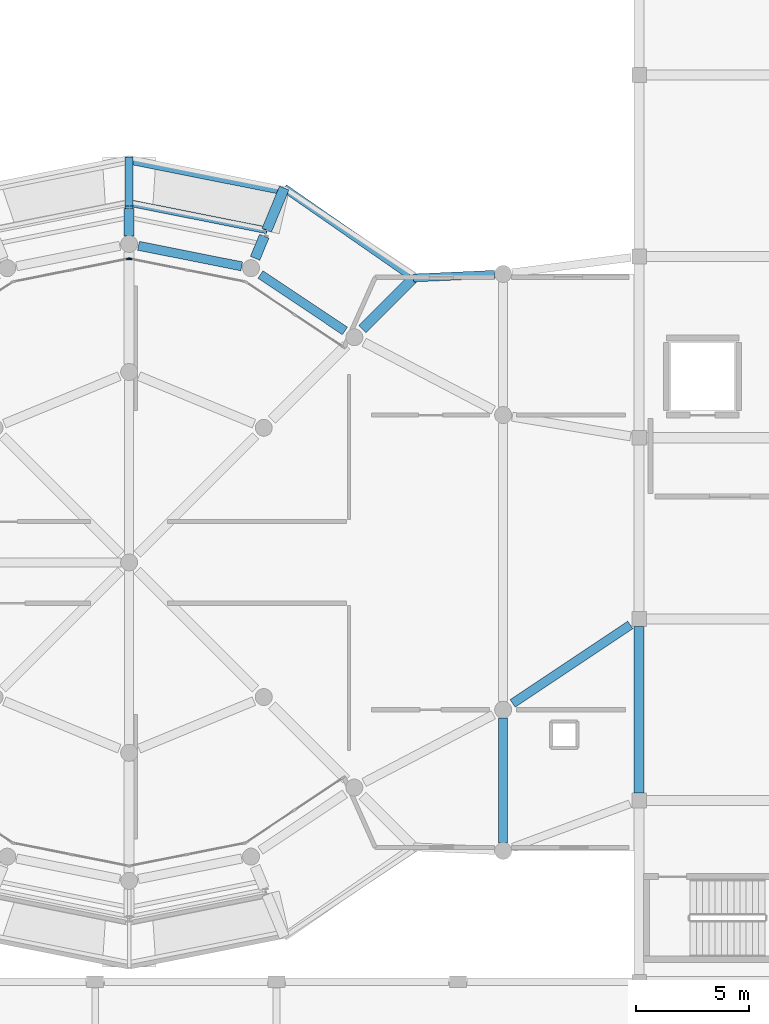
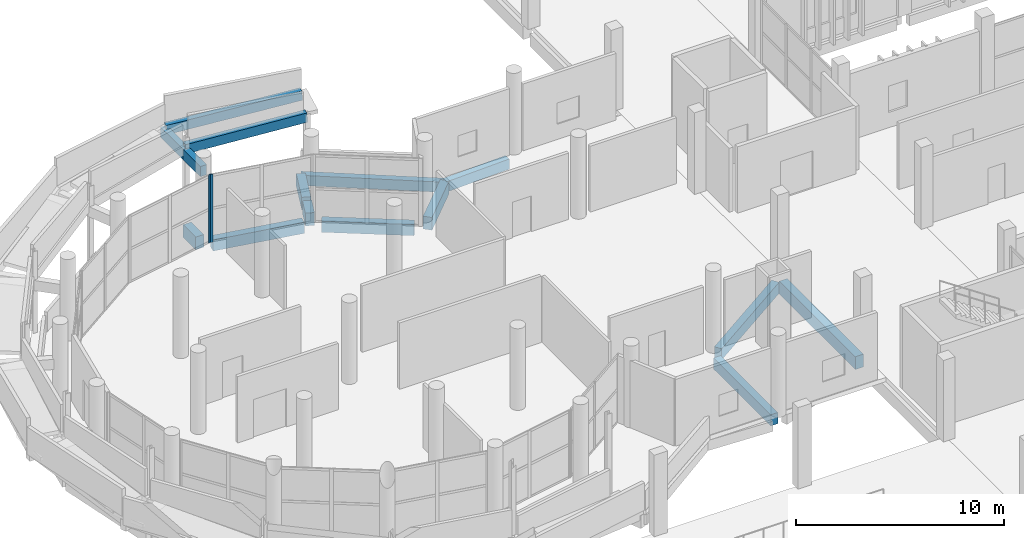
# One storey, part 28 of 106: 15 beams, 2 members, 2 elements without a shape of their own.
"""IFC4 building model written with IfcOpenShell, lengths in metres."""

from ifc_helpers import new_model, si_unit, direction, frame, origin, origin_2d, place, context, subcontext, project, spatial, rectangle, extrude, material, layer, layer_set, material_profile, profile_set, type_object, element, aggregate, save


model = new_model("IFC4")

# Units and contexts
model_context = context("Model", 3, precision=1e-05, world=origin(), true_north=direction((0.0, 1.0)))
body_context = subcontext(model_context, "Body", "Model", "MODEL_VIEW")
ifc_project = project(units=[si_unit("LENGTHUNIT", "METRE"), si_unit("AREAUNIT", "SQUARE_METRE"), si_unit("VOLUMEUNIT", "CUBIC_METRE"), si_unit("PLANEANGLEUNIT", "RADIAN"), si_unit("MASSUNIT", "GRAM", prefix="KILO")], contexts=[model_context])

# Site, building, storey
site_placement = place(None, origin())
site = spatial("IfcSite", under=ifc_project, at=site_placement, CompositionType="ELEMENT")
building_placement = place(site_placement, origin())
building = spatial("IfcBuilding", under=site, at=building_placement, Name="Jelvoka-Kovrelna Polytechnic", CompositionType="ELEMENT")
storey_placement = place(building_placement, frame((0.0, 0.0, 4.800048828125)))
storey = spatial("IfcBuildingStorey", under=building, at=storey_placement, Name="L02", CompositionType="ELEMENT", Elevation=4.800048828125)

# Beams
ifc_material_1 = material(Name="Concrete C35/45", Category="concrete")
ifc_material_profile_1 = material_profile(ifc_material_1, rectangle(XDim=0.35009765625, YDim=0.60009765625, at=origin_2d()), Name="RC 350x600")
ifc_profile_set_1 = profile_set([ifc_material_profile_1], Name="Concrete C35/45")
beam_type_1 = type_object("IfcBeamType", Name="Beam_RC_350x600", PredefinedType="BEAM", material=ifc_profile_set_1)
beam_1_placement = place(storey_placement, frame((25.5, 56.550048828125, 3.794921875), z_axis=(0.0, 1.0, 0.0), x_axis=(-1.0, 0.0, 0.0)))
element("IfcBeam", 1, at=beam_1_placement, inside=storey, type_object=beam_type_1, Name="L02 spiral ramp inner tie beam 2.2", PredefinedType="BEAM", context=body_context, shape_type="SweptSolid", body=[
    extrude(rectangle(XDim=0.35009765625, YDim=0.60009765625, at=origin_2d()), origin(), (0.0, 0.0, 1.0), 1.669921875),
])
beam_2_placement = place(storey_placement, frame((25.5, 58.219970703125, 3.794921875), z_axis=(0.0, 1.0, 0.0), x_axis=(-1.0, 0.0, 0.0)))
element("IfcBeam", 2, at=beam_2_placement, inside=storey, type_object=beam_type_1, Name="L02 spiral ramp cantilever bracket 2.2", PredefinedType="BEAM", context=body_context, shape_type="SweptSolid", body=[
    extrude(rectangle(XDim=0.35009765625, YDim=0.60009765625, at=origin_2d()), origin(), (0.0, 0.0, 1.0), 2.159912109375),
])
ifc_material_2 = material(Name="Concrete C40/50", Category="concrete")
ifc_material_profile_2 = material_profile(ifc_material_2, rectangle(XDim=0.39990234375, YDim=0.64990234375, at=origin_2d()), Name="RC 400x650")
ifc_profile_set_2 = profile_set([ifc_material_profile_2], Name="Concrete C40/50")
beam_type_2 = type_object("IfcBeamType", Name="Beam_RC_400x650", PredefinedType="BEAM", material=ifc_profile_set_2)
beam_3_placement = place(storey_placement, frame((35.01904296875, 52.712890625, -0.574951171875), z_axis=(-0.831496756319, 0.55552960698, 0.0), x_axis=(-0.55552960698, -0.831496756319, 0.0)))
element("IfcBeam", 3, at=beam_3_placement, inside=storey, type_object=beam_type_2, Name="L02 beam 2416", PredefinedType="BEAM", context=body_context, shape_type="SweptSolid", body=[
    extrude(rectangle(XDim=0.39990234375, YDim=0.64990234375, at=origin_2d()), origin(), (0.0, 0.0, 1.0), 4.481689453125),
])
beam_4_placement = place(storey_placement, frame((30.4638671875, 55.5625, -0.574951171875), z_axis=(-0.980774461066, 0.195144706619, 0.0), x_axis=(-0.195144706619, -0.980774461066, 0.0)))
element("IfcBeam", 4, at=beam_4_placement, inside=storey, type_object=beam_type_2, Name="L02 beam 2417", PredefinedType="BEAM", context=body_context, shape_type="SweptSolid", body=[
    extrude(rectangle(XDim=0.39990234375, YDim=0.64990234375, at=origin_2d()), origin(), (0.0, 0.0, 1.0), 4.64013671875),
])
beam_5_placement = place(storey_placement, frame((42.416015625, 36.27734375, -0.574951171875), z_axis=(0.832044280627, 0.554709216686, 0.0), x_axis=(-0.554709216686, 0.832044280627, 0.0)))
element("IfcBeam", 5, at=beam_5_placement, inside=storey, type_object=beam_type_2, Name="L02 beam 2460", PredefinedType="BEAM", context=body_context, shape_type="SweptSolid", body=[
    extrude(rectangle(XDim=0.39990234375, YDim=0.64990234375, at=origin_2d()), origin(), (0.0, 0.0, 1.0), 6.245849609375),
])
beam_6_placement = place(storey_placement, frame((42.0, 30.127197265625, -0.574951171875), z_axis=(0.0, 1.0, 0.0), x_axis=(-1.0, 0.0, 0.0)))
element("IfcBeam", 6, at=beam_6_placement, inside=storey, type_object=beam_type_2, Name="L02 beam 2461", PredefinedType="BEAM", context=body_context, shape_type="SweptSolid", body=[
    extrude(rectangle(XDim=0.39990234375, YDim=0.64990234375, at=origin_2d()), origin(), (0.0, 0.0, 1.0), 5.517822265625),
])
ifc_material_3 = material(Name="Concrete C40/50", Category="concrete")
ifc_material_profile_3 = material_profile(ifc_material_3, rectangle(XDim=0.449951171875, YDim=0.75, at=origin_2d()), Name="RC 450x750")
ifc_profile_set_3 = profile_set([ifc_material_profile_3], Name="Concrete C40/50")
beam_type_3 = type_object("IfcBeamType", Name="Beam_RC_450x750", PredefinedType="BEAM", material=ifc_profile_set_3)
beam_7_placement = place(storey_placement, frame((48.0, 32.330078125, -0.64013671875), z_axis=(0.0, 1.0, 0.0), x_axis=(-1.0, 0.0, 0.0)))
element("IfcBeam", 7, at=beam_7_placement, inside=storey, type_object=beam_type_3, Name="L02 beam 0848", PredefinedType="BEAM", context=body_context, shape_type="SweptSolid", body=[
    extrude(rectangle(XDim=0.449951171875, YDim=0.75, at=origin_2d()), origin(), (0.0, 0.0, 1.0), 7.33984375),
])
beam_8_placement = place(storey_placement, frame((35.7958984375, 52.7958984375, -0.625), z_axis=(0.707106781187, 0.707106781187, 0.0), x_axis=(-0.707106781187, 0.707106781187, 0.0)))
element("IfcBeam", 8, at=beam_8_placement, inside=storey, type_object=beam_type_3, Name="L02 beam 2428", PredefinedType="BEAM", context=body_context, shape_type="SweptSolid", body=[
    extrude(rectangle(XDim=0.449951171875, YDim=0.75, at=origin_2d()), origin(), (0.0, 0.0, 1.0), 3.189208984375),
])
beam_9_placement = place(storey_placement, frame((31.056396484375, 55.914794921875, -0.625), z_axis=(0.382822216634, 0.923822033971, 0.0), x_axis=(-0.923822033971, 0.382822216634, 0.0)))
element("IfcBeam", 9, at=beam_9_placement, inside=storey, type_object=beam_type_3, Name="L02 beam 2429", PredefinedType="BEAM", context=body_context, shape_type="SweptSolid", body=[
    extrude(rectangle(XDim=0.449951171875, YDim=0.75, at=origin_2d()), origin(), (0.0, 0.0, 1.0), 1.05419921875),
])
beam_10_placement = place(storey_placement, frame((31.571533203125, 57.158203125, -0.625), z_axis=(0.38266938507, 0.923885350966, 0.0), x_axis=(-0.923885350966, 0.38266938507, 0.0)))
element("IfcBeam", 10, at=beam_10_placement, inside=storey, type_object=beam_type_3, Name="L02 beam 2430", PredefinedType="BEAM", context=body_context, shape_type="SweptSolid", body=[
    extrude(rectangle(XDim=0.449951171875, YDim=0.75, at=origin_2d()), origin(), (0.0, 0.0, 1.0), 2.01416015625),
])
beam_11_placement = place(storey_placement, frame((25.5, 56.905029296875, -0.625), z_axis=(0.0, 1.0, 0.0), x_axis=(-1.0, 0.0, 0.0)))
element("IfcBeam", 11, at=beam_11_placement, inside=storey, type_object=beam_type_3, Name="L02 beam 2431", PredefinedType="BEAM", context=body_context, shape_type="SweptSolid", body=[
    extrude(rectangle(XDim=0.449951171875, YDim=0.75, at=origin_2d()), origin(), (0.0, 0.0, 1.0), 1.2080078125),
])

# Curtain wall, member
ifc_material_4 = material(Name="Anodised aluminium 6063-T6", Category="aluminium")
ifc_layer = layer(ifc_material_4, 0.179931640625)
ifc_layer_set = layer_set([ifc_layer], Name="Anodised aluminium 6063-T6")
curtain_wall_type = type_object("IfcCurtainWallType", Name="CW_Pavilion", PredefinedType="NOTDEFINED", material=ifc_layer_set)
curtain_wall_1_placement = place(storey_placement, origin())
curtain_wall_1 = element("IfcCurtainWall", 12, at=curtain_wall_1_placement, inside=storey, type_object=curtain_wall_type, Name="L02 glazed curtain wall 223", PredefinedType="NOTDEFINED")
ifc_material_5 = material(Name="Anodised aluminium 6063-T6", Category="aluminium")
ifc_material_profile_4 = material_profile(ifc_material_5, rectangle(XDim=0.06494140625, YDim=0.179931640625, at=origin_2d()), Name="ALU 65x180")
ifc_profile_set_4 = profile_set([ifc_material_profile_4], Name="Anodised aluminium 6063-T6")
member_type = type_object("IfcMemberType", Name="Mullion_M-05", PredefinedType="MULLION", material=ifc_profile_set_4)
member_1_placement = place(storey_placement, frame((25.531982421875, 55.8935546875, -0.02490234375), z_axis=(0.0, 0.0, 1.0), x_axis=(0.195086160371, 0.980786108197, 0.0)))
member_1 = element("IfcMember", 13, at=member_1_placement, type_object=member_type, Name="CW-05 mullion 1", PredefinedType="MULLION", context=body_context, shape_type="SweptSolid", body=[
    extrude(rectangle(XDim=0.06494140625, YDim=0.179931640625, at=origin_2d()), origin(), (0.0, 0.0, 1.0), 4.0),
])
aggregate(curtain_wall_1, [member_1])

curtain_wall_2_placement = place(storey_placement, origin())
curtain_wall_2 = element("IfcCurtainWall", 14, at=curtain_wall_2_placement, inside=storey, type_object=curtain_wall_type, Name="L02 glazed curtain wall 224", PredefinedType="NOTDEFINED")
member_2_placement = place(storey_placement, frame((25.468017578125, 55.8935546875, -0.02490234375), z_axis=(0.0, 0.0, 1.0), x_axis=(-0.195086160371, 0.980786108197, 0.0)))
member_2 = element("IfcMember", 15, at=member_2_placement, type_object=member_type, Name="CW-05 mullion 3", PredefinedType="MULLION", context=body_context, shape_type="SweptSolid", body=[
    extrude(rectangle(XDim=0.06494140625, YDim=0.179931640625, at=origin_2d()), origin(), (0.0, 0.0, 1.0), 4.0),
])
aggregate(curtain_wall_2, [member_2])

# Beams
ifc_material_6 = material(Name="Concrete C40/50", Category="concrete")
ifc_material_profile_5 = material_profile(ifc_material_6, rectangle(XDim=0.300048828125, YDim=0.550048828125, at=origin_2d()), Name="RC 300x550")
ifc_profile_set_5 = profile_set([ifc_material_profile_5], Name="Concrete C40/50")
beam_type_4 = type_object("IfcBeamType", Name="Spandrel_RC_300x550", PredefinedType="SPANDREL", material=ifc_profile_set_5)
beam_12_placement = place(storey_placement, frame((25.5, 60.219970703125, 4.044921875), z_axis=(0.978430417341, -0.194622265834, 0.069253823462), x_axis=(0.195090664524, 0.980785212274, 0.0)))
element("IfcBeam", 16, at=beam_12_placement, inside=storey, type_object=beam_type_4, Name="L02 spiral ramp curved outer stringer 2.2", PredefinedType="SPANDREL", context=body_context, shape_type="SweptSolid", body=[
    extrude(rectangle(XDim=0.300048828125, YDim=0.550048828125, at=origin_2d()), origin(), (0.0, 0.0, 1.0), 6.9306640625),
])
beam_13_placement = place(storey_placement, frame((25.5, 58.360107421875, 4.044921875), z_axis=(0.977840520324, -0.194545422909, 0.07733042892), x_axis=(0.195129735209, 0.980777439808, 0.0)))
element("IfcBeam", 17, at=beam_13_placement, inside=storey, type_object=beam_type_4, Name="L02 spiral ramp curved inner stringer 2.2", PredefinedType="SPANDREL", context=body_context, shape_type="SweptSolid", body=[
    extrude(rectangle(XDim=0.300048828125, YDim=0.550048828125, at=origin_2d()), origin(), (0.0, 0.0, 1.0), 6.206787109375),
])
ifc_material_7 = material(Name="Concrete C40/50", Category="concrete")
ifc_material_profile_6 = material_profile(ifc_material_7, rectangle(XDim=0.35009765625, YDim=0.60009765625, at=origin_2d()), Name="RC 350x600")
ifc_profile_set_6 = profile_set([ifc_material_profile_6], Name="Concrete C40/50")
beam_type_5 = type_object("IfcBeamType", Name="Spandrel_RC_350x600", PredefinedType="SPANDREL", material=ifc_profile_set_6)
beam_14_placement = place(storey_placement, frame((38.051025390625, 55.051025390625, -0.550048828125), z_axis=(-0.821126306312, 0.570746519116, 0.0), x_axis=(-0.570746519116, -0.821126306312, 0.0)))
element("IfcBeam", 18, at=beam_14_placement, inside=storey, type_object=beam_type_5, Name="L02 beam 2443", PredefinedType="SPANDREL", context=body_context, shape_type="SweptSolid", body=[
    extrude(rectangle(XDim=0.35009765625, YDim=0.60009765625, at=origin_2d()), origin(), (0.0, 0.0, 1.0), 6.952392578125),
])
beam_15_placement = place(storey_placement, frame((38.051025390625, 55.051025390625, -0.550048828125), z_axis=(0.998999645375, 0.04471810081, 0.0), x_axis=(-0.04471810081, 0.998999645375, 0.0)))
element("IfcBeam", 19, at=beam_15_placement, inside=storey, type_object=beam_type_5, Name="L02 beam 2453", PredefinedType="SPANDREL", context=body_context, shape_type="SweptSolid", body=[
    extrude(rectangle(XDim=0.35009765625, YDim=0.60009765625, at=origin_2d()), origin(), (0.0, 0.0, 1.0), 3.58154296875),
])

save(model, "model.ifc")
